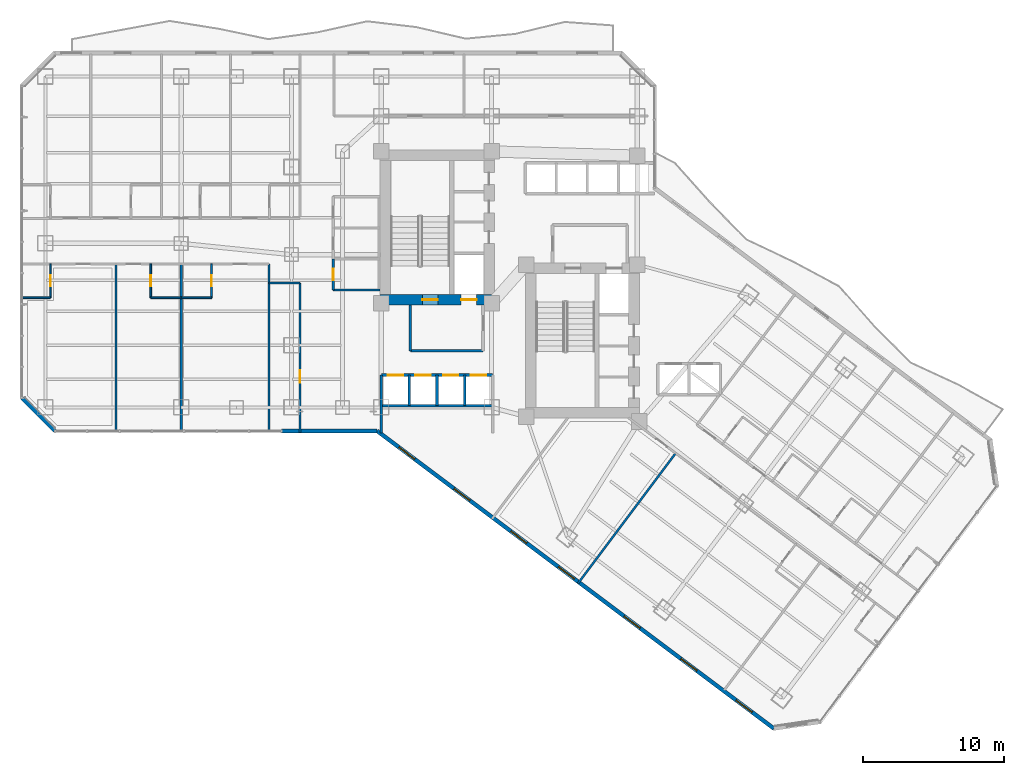
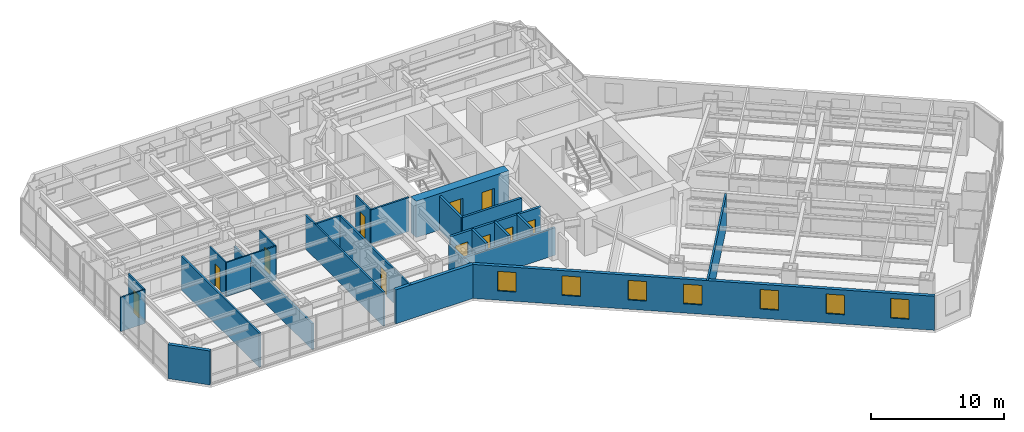
# One storey, part 23 of 38: 26 walls, 11 doors, 7 windows, 18 openings.
"""IFC4 building model written with IfcOpenShell, lengths in metres."""

import ifcopenshell
import ifcopenshell.guid

model = None  # the IFC model being written
_history = None  # IfcOwnerHistory: only IFC2X3 demands one
_inside = {}  # id of a spatial element -> (the spatial element, [elements in it])
_under = {}  # id of a project, library or spatial element -> (it, [spatial elements below it])
_declared = {}  # id of a project -> (the project, [libraries it declares])
_typed = {}  # id of a type object -> (the type object, [elements of that type])
_made_of = {}  # id of a material, layer set ... -> (it, [elements and type objects made of it])


def new_model(schema):
    """Start an empty IFC model of exactly this schema.

    Asked for "IFC4X3", IfcOpenShell would pick the latest addendum, in which some entities
    have other attributes; the version numbers below select the first issue.
    IFC2X3 requires an IfcOwnerHistory on every rooted entity: one is made here for all.
    """
    global model, _history
    if schema == "IFC4X3":
        model = ifcopenshell.file(schema_version=(4, 3, 0, 0))
    else:
        model = ifcopenshell.file(schema=schema)
    _inside.clear()
    _under.clear()
    _declared.clear()
    _typed.clear()
    _made_of.clear()
    _history = None
    if model.schema == "IFC2X3":
        org = make("IfcOrganization", Name="unknown")
        user = make(
            "IfcPersonAndOrganization",
            ThePerson=make("IfcPerson", FamilyName="unknown"),
            TheOrganization=org,
        )
        app = make(
            "IfcApplication",
            ApplicationDeveloper=org,
            Version="unknown",
            ApplicationFullName="unknown",
            ApplicationIdentifier="unknown",
        )
        _history = make(
            "IfcOwnerHistory",
            OwningUser=user,
            OwningApplication=app,
            ChangeAction="ADDED",
            CreationDate=0,
        )
    return model


def make(cls, **values):
    """One entity of the class cls with the attributes given. An attribute that is None is left unset."""
    return model.create_entity(
        cls, **{name: value for name, value in values.items() if value is not None}
    )


def rooted(cls, **values):
    """An entity with a GlobalId (a new one), such as an element, a storey or a relation."""
    return make(cls, GlobalId=ifcopenshell.guid.new(), OwnerHistory=_history, **values)


def si_unit(unit_type, name, prefix=None):
    """IfcSIUnit, for example si_unit("LENGTHUNIT", "METRE", prefix="MILLI")."""
    return make("IfcSIUnit", UnitType=unit_type, Prefix=prefix, Name=name)


def assignment(units):
    """IfcUnitAssignment: the units of a project."""
    return None if units is None else make("IfcUnitAssignment", Units=units)


def point(xyz):
    """IfcCartesianPoint."""
    return None if xyz is None else make("IfcCartesianPoint", Coordinates=xyz)


def direction(xyz):
    """IfcDirection."""
    return None if xyz is None else make("IfcDirection", DirectionRatios=xyz)


def frame(location, z_axis=None, x_axis=None):
    """IfcAxis2Placement3D, a coordinate frame: its origin and axes. An axis left out is left unset."""
    return make(
        "IfcAxis2Placement3D",
        Location=point(location),
        Axis=direction(z_axis),
        RefDirection=direction(x_axis),
    )


def frame_2d(location, x_axis=None):
    """IfcAxis2Placement2D, a coordinate frame in the plane: its origin and x axis."""
    return make(
        "IfcAxis2Placement2D", Location=point(location), RefDirection=direction(x_axis)
    )


def origin():
    """The frame at (0, 0, 0) with its axes left unset."""
    return frame((0.0, 0.0, 0.0))


def place(relative_to, where):
    """IfcLocalPlacement: puts the frame where relative to a parent placement (None: the world)."""
    return make(
        "IfcLocalPlacement", PlacementRelTo=relative_to, RelativePlacement=where
    )


def context(
    kind, dimensions, precision=None, world=None, true_north=None, identifier=None
):
    """IfcGeometricRepresentationContext, for example the 3D "Model" context."""
    return make(
        "IfcGeometricRepresentationContext",
        ContextIdentifier=identifier,
        ContextType=kind,
        CoordinateSpaceDimension=dimensions,
        Precision=precision,
        WorldCoordinateSystem=world,
        TrueNorth=true_north,
    )


def subcontext(parent, identifier, kind, view, scale=None):
    """IfcGeometricRepresentationSubContext, for example "Body" below "Model"."""
    return make(
        "IfcGeometricRepresentationSubContext",
        ContextIdentifier=identifier,
        ContextType=kind,
        ParentContext=parent,
        TargetScale=scale,
        TargetView=view,
    )


def project(units=None, contexts=None):
    """IfcProject with its units and contexts."""
    return rooted(
        "IfcProject",
        Name="project",
        RepresentationContexts=contexts,
        UnitsInContext=assignment(units),
    )


def spatial(cls, under=None, at=None, **own):
    """A site, building, storey or space (cls), placed at a placement, below another one or the project."""
    s = rooted(cls, ObjectPlacement=at, **own)
    if under is not None:
        _under.setdefault(under.id(), (under, []))[1].append(s)
    return s


def profile(cls, at=None, kind="AREA", **sizes):
    """A parametric profile (cls). Its sizes go by their IFC names, for example OverallWidth=200.0."""
    return make(cls, ProfileType=kind, Position=at, **sizes)


def rectangle(**sizes):
    """IfcRectangleProfileDef."""
    return profile("IfcRectangleProfileDef", **sizes)


def extrude(swept, where, along, depth):
    """IfcExtrudedAreaSolid: the profile swept, set in the frame where, extruded along a direction by depth."""
    return make(
        "IfcExtrudedAreaSolid",
        SweptArea=swept,
        Position=where,
        ExtrudedDirection=direction(along),
        Depth=depth,
    )


def shape(context_of_items, identifier, shape_type, items):
    """IfcShapeRepresentation: the items that make up one representation, for example the "Body"."""
    return make(
        "IfcShapeRepresentation",
        ContextOfItems=context_of_items,
        RepresentationIdentifier=identifier,
        RepresentationType=shape_type,
        Items=items,
    )


def material(Name=None, Category=None):
    """IfcMaterial."""
    return make("IfcMaterial", Name=Name, Category=Category)


def layer(
    of_material, thickness, ventilated=None, Name=None, Category=None, Priority=None
):
    """IfcMaterialLayer: one layer of a wall or slab, of a material (None: an air gap)."""
    return make(
        "IfcMaterialLayer",
        Material=of_material,
        LayerThickness=thickness,
        IsVentilated=ventilated,
        Name=Name,
        Category=Category,
        Priority=Priority,
    )


def layer_set(layers, Name=None):
    """IfcMaterialLayerSet."""
    return make("IfcMaterialLayerSet", MaterialLayers=layers, LayerSetName=Name)


def made_of(thing, what):
    """Note that an element or type object is made of a material, layer set ...; save() writes the relation."""
    if what is not None:
        _made_of.setdefault(what.id(), (what, []))[1].append(thing)
    return thing


def type_object(cls, material=None, **own):
    """A type object (cls), such as IfcWallType, which elements share."""
    return made_of(rooted(cls, **own), material)


def element(
    cls,
    number,
    at=None,
    inside=None,
    cuts=None,
    type_object=None,
    material=None,
    context=None,
    identifier="Body",
    shape_type=None,
    held_by="IfcProductDefinitionShape",
    body=None,
    shapes=None,
    **own,
):
    """One element of the class cls, such as IfcWall. Its Tag is "e" and its number.

    at: its placement. inside: the storey or other place that contains it. cuts: it is an
    opening in that element (IfcRelVoidsElement). A single representation is given by context,
    identifier, shape_type and body (its items); several are given by shapes. held_by: the class
    of the entity that holds the representations. save() writes the other relations.
    """
    e = rooted(cls, Tag="e%d" % number, ObjectPlacement=at, **own)
    if body is not None:
        shapes = [shape(context, identifier, shape_type, body)]
    if shapes is not None:
        e.Representation = make(held_by, Representations=shapes)
    if inside is not None:
        _inside.setdefault(inside.id(), (inside, []))[1].append(e)
    if cuts is not None:
        rooted(
            "IfcRelVoidsElement", RelatingBuildingElement=cuts, RelatedOpeningElement=e
        )
    if type_object is not None:
        _typed.setdefault(type_object.id(), (type_object, []))[1].append(e)
    return made_of(e, material)


def fill(opening, filler):
    """IfcRelFillsElement: the door or window that sits in an opening."""
    return rooted(
        "IfcRelFillsElement",
        RelatingOpeningElement=opening,
        RelatedBuildingElement=filler,
    )


def aggregate(whole, parts):
    """IfcRelAggregates: a whole, such as a stair, and the parts it consists of."""
    return rooted("IfcRelAggregates", RelatingObject=whole, RelatedObjects=parts)


def save(model, path):
    """Write the relations noted so far, then the file.

    IfcRelAggregates (storeys below a building ...), IfcRelContainedInSpatialStructure (elements
    in a storey), IfcRelDefinesByType, IfcRelAssociatesMaterial and IfcRelDeclares: one each for
    every whole, place, type object, material and project.
    """
    for whole, parts in _under.values():
        aggregate(whole, parts)
    for where, things in _inside.values():
        rooted(
            "IfcRelContainedInSpatialStructure",
            RelatedElements=things,
            RelatingStructure=where,
        )
    for kind, things in _typed.values():
        rooted("IfcRelDefinesByType", RelatedObjects=things, RelatingType=kind)
    for what, things in _made_of.values():
        rooted("IfcRelAssociatesMaterial", RelatedObjects=things, RelatingMaterial=what)
    for by, libraries in _declared.values():
        rooted("IfcRelDeclares", RelatingContext=by, RelatedDefinitions=libraries)
    model.write(path)


model = new_model("IFC4")

# Units and contexts
model_context = context("Model", 3, precision=1e-05, world=origin(), true_north=direction((0.0, 1.0)))
body_context = subcontext(model_context, "Body", "Model", "MODEL_VIEW")
ifc_project = project(units=[si_unit("LENGTHUNIT", "METRE"), si_unit("AREAUNIT", "SQUARE_METRE"), si_unit("VOLUMEUNIT", "CUBIC_METRE"), si_unit("PLANEANGLEUNIT", "RADIAN"), si_unit("MASSUNIT", "GRAM", prefix="KILO")], contexts=[model_context])

# Site, building, storey
site_placement = place(None, origin())
site = spatial("IfcSite", under=ifc_project, at=site_placement, CompositionType="ELEMENT")
building_placement = place(site_placement, origin())
building = spatial("IfcBuilding", under=site, at=building_placement, Name="Hatsunagi Terrace Concourse", CompositionType="ELEMENT")
storey_placement = place(building_placement, frame((0.0, 0.0, 60.050048828125)))
storey = spatial("IfcBuildingStorey", under=building, at=storey_placement, Name="L15", CompositionType="ELEMENT", Elevation=60.050048828125)

# Wall, openings, doors
ifc_material_1 = material(Name="Concrete Fc60", Category="concrete")
ifc_layer_1 = layer(ifc_material_1, 0.75)
ifc_layer_set_1 = layer_set([ifc_layer_1], Name="CoreShearWall_Fc60_750")
wall_type_1 = type_object("IfcWallType", Name="CoreShearWall_Fc60_750", PredefinedType="SHEAR", material=ifc_layer_set_1)
wall_1_placement = place(storey_placement, frame((25.469970703125, 32.81494140625, 0.0), z_axis=(0.0, 0.0, 1.0), x_axis=(1.0, 0.0, 0.0)))
wall_1 = element("IfcWall", 1, at=wall_1_placement, inside=storey, type_object=wall_type_1, Name="Core A Shear Wall S L15", PredefinedType="SHEAR", context=body_context, shape_type="SweptSolid", body=[
    extrude(rectangle(XDim=8.080078125, YDim=0.75, at=frame_2d((4.0400390625, 0.0))), origin(), (0.0, 0.0, 1.0), 3.349853515625),
])
opening_1_placement = place(wall_1_placement, frame((2.97998046875, 0.0, 0.0)))
opening_1 = element("IfcOpeningElement", 2, at=opening_1_placement, cuts=wall_1, Name="Opening DR-110S", PredefinedType="OPENING", context=body_context, shape_type="SweptSolid", body=[
    extrude(rectangle(XDim=1.10009765625, YDim=2.199951171875, at=frame_2d((0.550048828125, 1.10009765625))), frame((0.0, 0.385009765625, 0.0), z_axis=(0.0, -1.0, 0.0), x_axis=(1.0, 0.0, 0.0)), (0.0, 0.0, 1.0), 0.77001953125),
])
opening_2_placement = place(wall_1_placement, frame((5.72998046875, 0.0, 0.0)))
opening_2 = element("IfcOpeningElement", 3, at=opening_2_placement, cuts=wall_1, Name="Opening LD-01", PredefinedType="OPENING", context=body_context, shape_type="SweptSolid", body=[
    extrude(rectangle(XDim=1.10009765625, YDim=2.14990234375, at=frame_2d((0.550048828125, 1.074951171875))), frame((0.0, 0.385009765625, 0.0), z_axis=(0.0, -1.0, 0.0), x_axis=(1.0, 0.0, 0.0)), (0.0, 0.0, 1.0), 0.77001953125),
])
ifc_material_2 = material(Name="Stainless steel", Category="steel")
door_type_1 = type_object("IfcDoorType", Name="LiftLandingDoor_LD01", OperationType="SLIDING_TO_LEFT", PredefinedType="USERDEFINED", material=ifc_material_2)
door_1_placement = place(opening_2_placement, origin())
door_1 = element("IfcDoor", 4, at=door_1_placement, inside=storey, type_object=door_type_1, Name="Lift landing door FF-01 L15", ObjectType="SLIDING_LANDING_DOOR", OperationType="SLIDING_TO_LEFT", OverallHeight=2.14990234375, OverallWidth=1.10009765625, PredefinedType="USERDEFINED", context=body_context, shape_type="SweptSolid", body=[
    extrude(rectangle(XDim=1.10009765625, YDim=2.14990234375, at=frame_2d((0.550048828125, 1.074951171875))), frame((0.0, 0.02490234375, 0.0), z_axis=(0.0, -1.0, 0.0), x_axis=(1.0, 0.0, 0.0)), (0.0, 0.0, 1.0), 0.050048828125),
])
fill(opening_2, door_1)
ifc_material_3 = material(Name="Painted steel", Category="steel")
door_type_2 = type_object("IfcDoorType", Name="StairFireDoor_EI60_1100", OperationType="NOTDEFINED", PredefinedType="DOOR", material=ifc_material_3)
door_2_placement = place(opening_1_placement, origin())
door_2 = element("IfcDoor", 5, at=door_2_placement, inside=storey, type_object=door_type_2, Name="Stair ST-A Exit Door L15", OperationType="SINGLE_SWING_LEFT", OverallHeight=2.199951171875, OverallWidth=1.10009765625, PredefinedType="DOOR", context=body_context, shape_type="SweptSolid", body=[
    extrude(rectangle(XDim=1.10009765625, YDim=2.199951171875, at=frame_2d((0.550048828125, 1.10009765625))), frame((0.0, 0.02490234375, 0.0), z_axis=(0.0, -1.0, 0.0), x_axis=(1.0, 0.0, 0.0)), (0.0, 0.0, 1.0), 0.050048828125),
])
fill(opening_1, door_2)

# Wall, opening, door
ifc_material_4 = material(Name="Acoustic mineral board", Category="gypsum")
ifc_layer_2 = layer(ifc_material_4, 0.1201171875)
ifc_layer_set_2 = layer_set([ifc_layer_2], Name="PartitionWall_EI30_120")
wall_type_2 = type_object("IfcWallType", Name="PartitionWall_EI30_120", PredefinedType="PARTITIONING", material=ifc_layer_set_2)
wall_2_placement = place(storey_placement, frame((2.14990234375, 32.949951171875, 0.0), z_axis=(0.0, 0.0, 1.0), x_axis=(0.0, 1.0, 0.0)))
wall_2 = element("IfcWall", 6, at=wall_2_placement, inside=storey, type_object=wall_type_2, Name="Interior Partition IW-L15-068", PredefinedType="PARTITIONING", context=body_context, shape_type="SweptSolid", body=[
    extrude(rectangle(XDim=2.400146484375, YDim=0.1201171875, at=frame_2d((1.2001953125, 0.0))), origin(), (0.0, 0.0, 1.0), 3.1298828125),
])
opening_3_placement = place(wall_2_placement, frame((0.800048828125, 0.0, 0.0)))
opening_3 = element("IfcOpeningElement", 7, at=opening_3_placement, cuts=wall_2, Name="Opening DR-080", PredefinedType="OPENING", context=body_context, shape_type="SweptSolid", body=[
    extrude(rectangle(XDim=0.800048828125, YDim=2.06005859375, at=frame_2d((0.39990234375, 1.030029296875))), frame((0.0, 0.070068359375, 0.0), z_axis=(0.0, -1.0, 0.0), x_axis=(1.0, 0.0, 0.0)), (0.0, 0.0, 1.0), 0.14013671875),
])
ifc_material_5 = material(Name="Hardwood timber", Category="wood")
door_type_3 = type_object("IfcDoorType", Name="BathroomDoor_800", OperationType="NOTDEFINED", PredefinedType="DOOR", material=ifc_material_5)
door_3_placement = place(opening_3_placement, origin())
door_3 = element("IfcDoor", 8, at=door_3_placement, inside=storey, type_object=door_type_3, Name="En-Suite Bathroom L15-S1 Door", OperationType="SINGLE_SWING_RIGHT", OverallHeight=2.06005859375, OverallWidth=0.800048828125, PredefinedType="DOOR", context=body_context, shape_type="SweptSolid", body=[
    extrude(rectangle(XDim=0.800048828125, YDim=2.06005859375, at=frame_2d((0.39990234375, 1.030029296875))), frame((0.0, 0.02490234375, 0.0), z_axis=(0.0, -1.0, 0.0), x_axis=(1.0, 0.0, 0.0)), (0.0, 0.0, 1.0), 0.050048828125),
])
fill(opening_3, door_3)

# Wall
wall_3_placement = place(storey_placement, frame((0.0400390625, 32.949951171875, 0.0), z_axis=(0.0, 0.0, 1.0), x_axis=(1.0, 0.0, 0.0)))
element("IfcWall", 9, at=wall_3_placement, inside=storey, type_object=wall_type_2, Name="Interior Partition IW-L15-069", PredefinedType="PARTITIONING", context=body_context, shape_type="SweptSolid", body=[
    extrude(rectangle(XDim=2.10986328125, YDim=0.1201171875, at=frame_2d((1.054931640625, 0.0))), origin(), (0.0, 0.0, 1.0), 3.1298828125),
])

# Wall, opening, door
wall_4_placement = place(storey_placement, frame((9.25, 32.949951171875, 0.0), z_axis=(0.0, 0.0, 1.0), x_axis=(0.0, 1.0, 0.0)))
wall_4 = element("IfcWall", 10, at=wall_4_placement, inside=storey, type_object=wall_type_2, Name="Interior Partition IW-L15-073", PredefinedType="PARTITIONING", context=body_context, shape_type="SweptSolid", body=[
    extrude(rectangle(XDim=2.400146484375, YDim=0.1201171875, at=frame_2d((1.2001953125, 0.0))), origin(), (0.0, 0.0, 1.0), 3.1298828125),
])
opening_4_placement = place(wall_4_placement, frame((0.800048828125, 0.0, 0.0)))
opening_4 = element("IfcOpeningElement", 11, at=opening_4_placement, cuts=wall_4, Name="Opening DR-080", PredefinedType="OPENING", context=body_context, shape_type="SweptSolid", body=[
    extrude(rectangle(XDim=0.800048828125, YDim=2.06005859375, at=frame_2d((0.39990234375, 1.030029296875))), frame((0.0, 0.070068359375, 0.0), z_axis=(0.0, -1.0, 0.0), x_axis=(1.0, 0.0, 0.0)), (0.0, 0.0, 1.0), 0.14013671875),
])
door_4_placement = place(opening_4_placement, origin())
door_4 = element("IfcDoor", 12, at=door_4_placement, inside=storey, type_object=door_type_3, Name="En-Suite Bathroom L15-S2 Door", OperationType="SINGLE_SWING_LEFT", OverallHeight=2.06005859375, OverallWidth=0.800048828125, PredefinedType="DOOR", context=body_context, shape_type="SweptSolid", body=[
    extrude(rectangle(XDim=0.800048828125, YDim=2.06005859375, at=frame_2d((0.39990234375, 1.030029296875))), frame((0.0, 0.02490234375, 0.0), z_axis=(0.0, -1.0, 0.0), x_axis=(1.0, 0.0, 0.0)), (0.0, 0.0, 1.0), 0.050048828125),
])
fill(opening_4, door_4)

# Wall
wall_5_placement = place(storey_placement, frame((9.25, 32.949951171875, 0.0), z_axis=(0.0, 0.0, 1.0), x_axis=(1.0, 0.0, 0.0)))
element("IfcWall", 13, at=wall_5_placement, inside=storey, type_object=wall_type_2, Name="Interior Partition IW-L15-074", PredefinedType="PARTITIONING", context=body_context, shape_type="SweptSolid", body=[
    extrude(rectangle(XDim=2.14990234375, YDim=0.1201171875, at=frame_2d((1.074951171875, 0.0))), origin(), (0.0, 0.0, 1.0), 3.1298828125),
])

# Wall, opening, door
wall_6_placement = place(storey_placement, frame((13.550048828125, 32.949951171875, 0.0), z_axis=(0.0, 0.0, 1.0), x_axis=(0.0, 1.0, 0.0)))
wall_6 = element("IfcWall", 14, at=wall_6_placement, inside=storey, type_object=wall_type_2, Name="Interior Partition IW-L15-078", PredefinedType="PARTITIONING", context=body_context, shape_type="SweptSolid", body=[
    extrude(rectangle(XDim=2.400146484375, YDim=0.1201171875, at=frame_2d((1.2001953125, 0.0))), origin(), (0.0, 0.0, 1.0), 3.1298828125),
])
opening_5_placement = place(wall_6_placement, frame((0.800048828125, 0.0, 0.0)))
opening_5 = element("IfcOpeningElement", 15, at=opening_5_placement, cuts=wall_6, Name="Opening DR-080", PredefinedType="OPENING", context=body_context, shape_type="SweptSolid", body=[
    extrude(rectangle(XDim=0.800048828125, YDim=2.06005859375, at=frame_2d((0.39990234375, 1.030029296875))), frame((0.0, 0.070068359375, 0.0), z_axis=(0.0, -1.0, 0.0), x_axis=(1.0, 0.0, 0.0)), (0.0, 0.0, 1.0), 0.14013671875),
])
door_5_placement = place(opening_5_placement, origin())
door_5 = element("IfcDoor", 16, at=door_5_placement, inside=storey, type_object=door_type_3, Name="En-Suite Bathroom L15-S3 Door", OperationType="SINGLE_SWING_RIGHT", OverallHeight=2.06005859375, OverallWidth=0.800048828125, PredefinedType="DOOR", context=body_context, shape_type="SweptSolid", body=[
    extrude(rectangle(XDim=0.800048828125, YDim=2.06005859375, at=frame_2d((0.39990234375, 1.030029296875))), frame((0.0, 0.02490234375, 0.0), z_axis=(0.0, -1.0, 0.0), x_axis=(1.0, 0.0, 0.0)), (0.0, 0.0, 1.0), 0.050048828125),
])
fill(opening_5, door_5)

# Walls
wall_7_placement = place(storey_placement, frame((11.39990234375, 32.949951171875, 0.0), z_axis=(0.0, 0.0, 1.0), x_axis=(1.0, 0.0, 0.0)))
element("IfcWall", 17, at=wall_7_placement, inside=storey, type_object=wall_type_2, Name="Interior Partition IW-L15-079", PredefinedType="PARTITIONING", context=body_context, shape_type="SweptSolid", body=[
    extrude(rectangle(XDim=2.150146484375, YDim=0.1201171875, at=frame_2d((1.0751953125, 0.0))), origin(), (0.0, 0.0, 1.0), 3.1298828125),
])
ifc_material_6 = material(Name="Acoustic mineral board", Category="gypsum")
ifc_layer_3 = layer(ifc_material_6, 0.14990234375)
ifc_layer_set_3 = layer_set([ifc_layer_3], Name="PartitionWall_EI60_150")
wall_type_3 = type_object("IfcWallType", Name="PartitionWall_EI60_150", PredefinedType="PARTITIONING", material=ifc_layer_set_3)
wall_8_placement = place(storey_placement, frame((22.14990234375, 33.5, 0.0), z_axis=(0.0, 0.0, 1.0), x_axis=(1.0, 0.0, 0.0)))
element("IfcWall", 18, at=wall_8_placement, inside=storey, type_object=wall_type_3, Name="Interior Partition IW-L15-031", PredefinedType="PARTITIONING", context=body_context, shape_type="SweptSolid", body=[
    extrude(rectangle(XDim=3.300048828125, YDim=0.14990234375, at=frame_2d((1.64990234375, 0.0))), origin(), (0.0, 0.0, 1.0), 3.1298828125),
])

# Wall, opening, door
wall_9_placement = place(storey_placement, frame((22.14990234375, 33.5, 0.0), z_axis=(0.0, 0.0, 1.0), x_axis=(0.0, 1.0, 0.0)))
wall_9 = element("IfcWall", 19, at=wall_9_placement, inside=storey, type_object=wall_type_3, Name="Interior Partition IW-L15-036", PredefinedType="PARTITIONING", context=body_context, shape_type="SweptSolid", body=[
    extrude(rectangle(XDim=2.199951171875, YDim=0.14990234375, at=frame_2d((1.10009765625, 0.0))), origin(), (0.0, 0.0, 1.0), 3.1298828125),
])
opening_6_placement = place(wall_9_placement, frame((0.699951171875, 0.0, 0.0)))
opening_6 = element("IfcOpeningElement", 20, at=opening_6_placement, cuts=wall_9, Name="Opening DR-080", PredefinedType="OPENING", context=body_context, shape_type="SweptSolid", body=[
    extrude(rectangle(XDim=0.800048828125, YDim=2.06005859375, at=frame_2d((0.39990234375, 1.030029296875))), frame((0.0, 0.0849609375, 0.0), z_axis=(0.0, -1.0, 0.0), x_axis=(1.0, 0.0, 0.0)), (0.0, 0.0, 1.0), 0.169921875),
])
door_6_placement = place(opening_6_placement, origin())
door_6 = element("IfcDoor", 21, at=door_6_placement, inside=storey, type_object=door_type_3, Name="Accessible WC Door L15", OperationType="SINGLE_SWING_RIGHT", OverallHeight=2.06005859375, OverallWidth=0.800048828125, PredefinedType="DOOR", context=body_context, shape_type="SweptSolid", body=[
    extrude(rectangle(XDim=0.800048828125, YDim=2.06005859375, at=frame_2d((0.39990234375, 1.030029296875))), frame((0.0, 0.02490234375, 0.0), z_axis=(0.0, -1.0, 0.0), x_axis=(1.0, 0.0, 0.0)), (0.0, 0.0, 1.0), 0.050048828125),
])
fill(opening_6, door_6)

# Walls
wall_10_placement = place(storey_placement, frame((39.464111328125, 12.751953125, 0.0), z_axis=(0.0, 0.0, 1.0), x_axis=(0.6, 0.8, 0.0)))
element("IfcWall", 22, at=wall_10_placement, inside=storey, type_object=wall_type_3, Name="Interior Partition IW-L15-045", PredefinedType="PARTITIONING", context=body_context, shape_type="SweptSolid", body=[
    extrude(rectangle(XDim=11.510009765625, YDim=0.14990234375, at=frame_2d((5.7548828125, 0.0))), origin(), (0.0, 0.0, 1.0), 3.1298828125),
])
wall_11_placement = place(storey_placement, frame((6.800048828125, 23.60009765625, 0.0), z_axis=(0.0, 0.0, 1.0), x_axis=(0.0, 1.0, 0.0)))
element("IfcWall", 23, at=wall_11_placement, inside=storey, type_object=wall_type_3, Name="Interior Partition IW-L15-070", PredefinedType="PARTITIONING", context=body_context, shape_type="SweptSolid", body=[
    extrude(rectangle(XDim=11.75, YDim=0.14990234375, at=frame_2d((5.875, 0.0))), origin(), (0.0, 0.0, 1.0), 3.1298828125),
])
wall_12_placement = place(storey_placement, frame((11.39990234375, 23.60009765625, 0.0), z_axis=(0.0, 0.0, 1.0), x_axis=(0.0, 1.0, 0.0)))
element("IfcWall", 24, at=wall_12_placement, inside=storey, type_object=wall_type_3, Name="Interior Partition IW-L15-075", PredefinedType="PARTITIONING", context=body_context, shape_type="SweptSolid", body=[
    extrude(rectangle(XDim=11.75, YDim=0.14990234375, at=frame_2d((5.875, 0.0))), origin(), (0.0, 0.0, 1.0), 2.425048828125),
])
wall_13_placement = place(storey_placement, frame((17.60009765625, 23.60009765625, 0.0), z_axis=(0.0, 0.0, 1.0), x_axis=(0.0, 1.0, 0.0)))
element("IfcWall", 25, at=wall_13_placement, inside=storey, type_object=wall_type_3, Name="Interior Partition IW-L15-080", PredefinedType="PARTITIONING", context=body_context, shape_type="SweptSolid", body=[
    extrude(rectangle(XDim=11.75, YDim=0.14990234375, at=frame_2d((5.875, 0.0))), origin(), (0.0, 0.0, 1.0), 3.1298828125),
])
wall_14_placement = place(storey_placement, frame((17.60009765625, 34.0, 0.0), z_axis=(0.0, 0.0, 1.0), x_axis=(1.0, 0.0, 0.0)))
element("IfcWall", 26, at=wall_14_placement, inside=storey, type_object=wall_type_3, Name="Interior Partition IW-L15-081", PredefinedType="PARTITIONING", context=body_context, shape_type="SweptSolid", body=[
    extrude(rectangle(XDim=2.199951171875, YDim=0.14990234375, at=frame_2d((1.10009765625, 0.0))), origin(), (0.0, 0.0, 1.0), 3.1298828125),
])

# Wall, opening, door
wall_15_placement = place(storey_placement, frame((19.800048828125, 23.43994140625, 0.0), z_axis=(0.0, 0.0, 1.0), x_axis=(0.0, 1.0, 0.0)))
wall_15 = element("IfcWall", 27, at=wall_15_placement, inside=storey, type_object=wall_type_3, Name="Interior Partition IW-L15-082", PredefinedType="PARTITIONING", context=body_context, shape_type="SweptSolid", body=[
    extrude(rectangle(XDim=10.56005859375, YDim=0.14990234375, at=frame_2d((5.280029296875, 0.0))), origin(), (0.0, 0.0, 1.0), 3.1298828125),
])
opening_7_placement = place(wall_15_placement, frame((3.4951171875, 0.0, 0.0)))
opening_7 = element("IfcOpeningElement", 28, at=opening_7_placement, cuts=wall_15, Name="Opening DR-090", PredefinedType="OPENING", context=body_context, shape_type="SweptSolid", body=[
    extrude(rectangle(XDim=0.89990234375, YDim=2.14990234375, at=frame_2d((0.449951171875, 1.074951171875))), frame((0.0, 0.0849609375, 0.0), z_axis=(0.0, -1.0, 0.0), x_axis=(1.0, 0.0, 0.0)), (0.0, 0.0, 1.0), 0.169921875),
])
ifc_material_7 = material(Name="Hardwood timber", Category="wood")
door_type_4 = type_object("IfcDoorType", Name="CrownPavilionDoor_EI30_900", OperationType="NOTDEFINED", PredefinedType="DOOR", material=ifc_material_7)
door_7_placement = place(opening_7_placement, origin())
door_7 = element("IfcDoor", 29, at=door_7_placement, inside=storey, type_object=door_type_4, Name="Catering Pantry L15-HPAN Door", OperationType="SINGLE_SWING_RIGHT", OverallHeight=2.14990234375, OverallWidth=0.89990234375, PredefinedType="DOOR", context=body_context, shape_type="SweptSolid", body=[
    extrude(rectangle(XDim=0.89990234375, YDim=2.14990234375, at=frame_2d((0.449951171875, 1.074951171875))), frame((0.0, 0.02490234375, 0.0), z_axis=(0.0, -1.0, 0.0), x_axis=(1.0, 0.0, 0.0)), (0.0, 0.0, 1.0), 0.050048828125),
])
fill(opening_7, door_7)

# Walls
ifc_material_8 = material(Name="Acoustic mineral board", Category="gypsum")
ifc_layer_4 = layer(ifc_material_8, 0.199951171875)
ifc_layer_set_4 = layer_set([ifc_layer_4], Name="ShaftWall_EI120_200")
wall_type_4 = type_object("IfcWallType", Name="ShaftWall_EI120_200", PredefinedType="STANDARD", material=ifc_layer_set_4)
wall_16_placement = place(storey_placement, frame((27.60009765625, 29.199951171875, 0.0), z_axis=(0.0, 0.0, 1.0), x_axis=(1.0, 0.0, 0.0)))
element("IfcWall", 30, at=wall_16_placement, inside=storey, type_object=wall_type_4, Name="Interior Partition IW-L15-007", PredefinedType="STANDARD", context=body_context, shape_type="SweptSolid", body=[
    extrude(rectangle(XDim=5.14990234375, YDim=0.199951171875, at=frame_2d((2.574951171875, 0.0))), origin(), (0.0, 0.0, 1.0), 3.1298828125),
])
wall_17_placement = place(storey_placement, frame((27.60009765625, 29.199951171875, 0.0), z_axis=(0.0, 0.0, 1.0), x_axis=(0.0, 1.0, 0.0)))
element("IfcWall", 31, at=wall_17_placement, inside=storey, type_object=wall_type_4, Name="Interior Partition IW-L15-008", PredefinedType="STANDARD", context=body_context, shape_type="SweptSolid", body=[
    extrude(rectangle(XDim=3.239990234375, YDim=0.199951171875, at=frame_2d((1.6201171875, 0.0))), origin(), (0.0, 0.0, 1.0), 3.1298828125),
])
wall_18_placement = place(storey_placement, frame((25.550048828125, 23.39990234375, 0.0), z_axis=(0.0, 0.0, 1.0), x_axis=(0.0, 1.0, 0.0)))
element("IfcWall", 32, at=wall_18_placement, inside=storey, type_object=wall_type_4, Name="Interior Partition IW-L15-013", PredefinedType="STANDARD", context=body_context, shape_type="SweptSolid", body=[
    extrude(rectangle(XDim=4.080078125, YDim=0.199951171875, at=frame_2d((2.0400390625, 0.0))), origin(), (0.0, 0.0, 1.0), 2.425048828125),
])
wall_19_placement = place(storey_placement, frame((25.550048828125, 25.320068359375, 0.0), z_axis=(0.0, 0.0, 1.0), x_axis=(1.0, 0.0, 0.0)))
element("IfcWall", 33, at=wall_19_placement, inside=storey, type_object=wall_type_4, Name="Interior Partition IW-L15-015", PredefinedType="STANDARD", context=body_context, shape_type="SweptSolid", body=[
    extrude(rectangle(XDim=7.8798828125, YDim=0.199951171875, at=frame_2d((3.93994140625, 0.0))), origin(), (0.0, 0.0, 1.0), 2.52490234375),
])
for number, where, z_axis, x_axis, name in (
    (34, (27.530029296875, 25.320068359375, 0.0), (0.0, 0.0, 1.0), (0.0, 1.0, 0.0), "Interior Partition IW-L15-016"),
    (35, (29.489990234375, 25.320068359375, 0.0), (0.0, 0.0, 1.0), (0.0, 1.0, 0.0), "Interior Partition IW-L15-017"),
    (36, (31.449951171875, 25.320068359375, 0.0), (0.0, 0.0, 1.0), (0.0, 1.0, 0.0), "Interior Partition IW-L15-018"),
):
    element("IfcWall", number, at=place(storey_placement, frame(where, z_axis=z_axis, x_axis=x_axis)), inside=storey, type_object=wall_type_4, Name=name, PredefinedType="STANDARD", context=body_context, shape_type="SweptSolid", body=[
        extrude(rectangle(XDim=2.159912109375, YDim=0.199951171875, at=frame_2d((1.080078125, 0.0))), origin(), (0.0, 0.0, 1.0), 3.1298828125),
    ])

# Wall, openings, doors
wall_20_placement = place(storey_placement, frame((25.550048828125, 27.47998046875, 0.0), z_axis=(0.0, 0.0, 1.0), x_axis=(1.0, 0.0, 0.0)))
wall_20 = element("IfcWall", 37, at=wall_20_placement, inside=storey, type_object=wall_type_4, Name="Interior Partition IW-L15-019", PredefinedType="STANDARD", context=body_context, shape_type="SweptSolid", body=[
    extrude(rectangle(XDim=7.8798828125, YDim=0.199951171875, at=frame_2d((3.93994140625, 0.0))), origin(), (0.0, 0.0, 1.0), 3.1298828125),
])
opening_8_placement = place(wall_20_placement, frame((0.4599609375, 0.0, 0.0)))
opening_8 = element("IfcOpeningElement", 38, at=opening_8_placement, cuts=wall_20, Name="Opening LD-03", PredefinedType="OPENING", context=body_context, shape_type="SweptSolid", body=[
    extrude(rectangle(XDim=1.080078125, YDim=2.14990234375, at=frame_2d((0.5400390625, 1.074951171875))), frame((0.0, 0.10986328125, 0.0), z_axis=(0.0, -1.0, 0.0), x_axis=(1.0, 0.0, 0.0)), (0.0, 0.0, 1.0), 0.219970703125),
])
opening_9_placement = place(wall_20_placement, frame((2.419921875, 0.0, 0.0)))
opening_9 = element("IfcOpeningElement", 39, at=opening_9_placement, cuts=wall_20, Name="Opening LD-03", PredefinedType="OPENING", context=body_context, shape_type="SweptSolid", body=[
    extrude(rectangle(XDim=1.080078125, YDim=2.14990234375, at=frame_2d((0.5400390625, 1.074951171875))), frame((0.0, 0.10986328125, 0.0), z_axis=(0.0, -1.0, 0.0), x_axis=(1.0, 0.0, 0.0)), (0.0, 0.0, 1.0), 0.219970703125),
])
opening_10_placement = place(wall_20_placement, frame((4.3798828125, 0.0, 0.0)))
opening_10 = element("IfcOpeningElement", 40, at=opening_10_placement, cuts=wall_20, Name="Opening LD-03", PredefinedType="OPENING", context=body_context, shape_type="SweptSolid", body=[
    extrude(rectangle(XDim=1.080078125, YDim=2.14990234375, at=frame_2d((0.5400390625, 1.074951171875))), frame((0.0, 0.10986328125, 0.0), z_axis=(0.0, -1.0, 0.0), x_axis=(1.0, 0.0, 0.0)), (0.0, 0.0, 1.0), 0.219970703125),
])
opening_11_placement = place(wall_20_placement, frame((6.340087890625, 0.0, 0.0)))
opening_11 = element("IfcOpeningElement", 41, at=opening_11_placement, cuts=wall_20, Name="Opening LD-03", PredefinedType="OPENING", context=body_context, shape_type="SweptSolid", body=[
    extrude(rectangle(XDim=1.080078125, YDim=2.14990234375, at=frame_2d((0.5400390625, 1.074951171875))), frame((0.0, 0.10986328125, 0.0), z_axis=(0.0, -1.0, 0.0), x_axis=(1.0, 0.0, 0.0)), (0.0, 0.0, 1.0), 0.219970703125),
])
ifc_material_9 = material(Name="Stainless steel", Category="steel")
door_type_5 = type_object("IfcDoorType", Name="LiftLandingDoor_LD03", OperationType="SLIDING_TO_LEFT", PredefinedType="USERDEFINED", material=ifc_material_9)
door_8_placement = place(opening_8_placement, origin())
door_8 = element("IfcDoor", 42, at=door_8_placement, inside=storey, type_object=door_type_5, Name="Lift landing door PL-01 L15", ObjectType="SLIDING_LANDING_DOOR", OperationType="SLIDING_TO_LEFT", OverallHeight=2.14990234375, OverallWidth=1.080078125, PredefinedType="USERDEFINED", context=body_context, shape_type="SweptSolid", body=[
    extrude(rectangle(XDim=1.080078125, YDim=2.14990234375, at=frame_2d((0.5400390625, 1.074951171875))), frame((0.0, 0.02490234375, 0.0), z_axis=(0.0, -1.0, 0.0), x_axis=(1.0, 0.0, 0.0)), (0.0, 0.0, 1.0), 0.050048828125),
])
fill(opening_8, door_8)
door_9_placement = place(opening_9_placement, origin())
door_9 = element("IfcDoor", 43, at=door_9_placement, inside=storey, type_object=door_type_5, Name="Lift landing door PL-02 L15", ObjectType="SLIDING_LANDING_DOOR", OperationType="SLIDING_TO_LEFT", OverallHeight=2.14990234375, OverallWidth=1.080078125, PredefinedType="USERDEFINED", context=body_context, shape_type="SweptSolid", body=[
    extrude(rectangle(XDim=1.080078125, YDim=2.14990234375, at=frame_2d((0.5400390625, 1.074951171875))), frame((0.0, 0.02490234375, 0.0), z_axis=(0.0, -1.0, 0.0), x_axis=(1.0, 0.0, 0.0)), (0.0, 0.0, 1.0), 0.050048828125),
])
fill(opening_9, door_9)
door_10_placement = place(opening_10_placement, origin())
door_10 = element("IfcDoor", 44, at=door_10_placement, inside=storey, type_object=door_type_5, Name="Lift landing door PL-03 L15", ObjectType="SLIDING_LANDING_DOOR", OperationType="SLIDING_TO_LEFT", OverallHeight=2.14990234375, OverallWidth=1.080078125, PredefinedType="USERDEFINED", context=body_context, shape_type="SweptSolid", body=[
    extrude(rectangle(XDim=1.080078125, YDim=2.14990234375, at=frame_2d((0.5400390625, 1.074951171875))), frame((0.0, 0.02490234375, 0.0), z_axis=(0.0, -1.0, 0.0), x_axis=(1.0, 0.0, 0.0)), (0.0, 0.0, 1.0), 0.050048828125),
])
fill(opening_10, door_10)
door_11_placement = place(opening_11_placement, origin())
door_11 = element("IfcDoor", 45, at=door_11_placement, inside=storey, type_object=door_type_5, Name="Lift landing door PL-04 L15", ObjectType="SLIDING_LANDING_DOOR", OperationType="SLIDING_TO_LEFT", OverallHeight=2.14990234375, OverallWidth=1.080078125, PredefinedType="USERDEFINED", context=body_context, shape_type="SweptSolid", body=[
    extrude(rectangle(XDim=1.080078125, YDim=2.14990234375, at=frame_2d((0.5400390625, 1.074951171875))), frame((0.0, 0.02490234375, 0.0), z_axis=(0.0, -1.0, 0.0), x_axis=(1.0, 0.0, 0.0)), (0.0, 0.0, 1.0), 0.050048828125),
])
fill(opening_11, door_11)

# Wall, openings, windows
ifc_material_10 = material(Name="Autoclaved Lightweight Concrete and Terracotta Cladding", Category="masonry")
ifc_layer_5 = layer(ifc_material_10, 0.280029296875)
ifc_layer_set_5 = layer_set([ifc_layer_5], Name="TerracottaSpandrelWall_280")
wall_type_5 = type_object("IfcWallType", Name="TerracottaSpandrelWall_280", PredefinedType="STANDARD", material=ifc_layer_set_5)
wall_21_placement = place(storey_placement, frame((53.318115234375, 2.487060546875, 0.0), z_axis=(0.0, 0.0, 1.0), x_axis=(-0.800004174678, 0.599994433723, 0.0)))
wall_21 = element("IfcWall", 46, at=wall_21_placement, inside=storey, type_object=wall_type_5, Name="Exterior Spandrel Wall EW-L15-05", PredefinedType="STANDARD", context=body_context, shape_type="SweptSolid", body=[
    extrude(rectangle(XDim=35.088623046875, YDim=0.280029296875, at=frame_2d((17.54443359375, 0.0))), origin(), (0.0, 0.0, 1.0), 3.1298828125),
])
opening_12_placement = place(wall_21_placement, frame((1.930908203125, 0.0, 0.85009765625)))
opening_12 = element("IfcOpeningElement", 47, at=opening_12_placement, cuts=wall_21, Name="Opening WIN-02", PredefinedType="OPENING", context=body_context, shape_type="SweptSolid", body=[
    extrude(rectangle(XDim=1.39990234375, YDim=1.800048828125, at=frame_2d((0.699951171875, 0.89990234375))), frame((0.0, 0.14990234375, 0.0), z_axis=(0.0, -1.0, 0.0), x_axis=(1.0, 0.0, 0.0)), (0.0, 0.0, 1.0), 0.300048828125),
])
opening_13_placement = place(wall_21_placement, frame((6.819091796875, 0.0, 0.85009765625)))
opening_13 = element("IfcOpeningElement", 48, at=opening_13_placement, cuts=wall_21, Name="Opening WIN-02", PredefinedType="OPENING", context=body_context, shape_type="SweptSolid", body=[
    extrude(rectangle(XDim=1.39990234375, YDim=1.800048828125, at=frame_2d((0.699951171875, 0.89990234375))), frame((0.0, 0.14990234375, 0.0), z_axis=(0.0, -1.0, 0.0), x_axis=(1.0, 0.0, 0.0)), (0.0, 0.0, 1.0), 0.300048828125),
])
opening_14_placement = place(wall_21_placement, frame((11.83203125, 0.0, 0.85009765625)))
opening_14 = element("IfcOpeningElement", 49, at=opening_14_placement, cuts=wall_21, Name="Opening WIN-02", PredefinedType="OPENING", context=body_context, shape_type="SweptSolid", body=[
    extrude(rectangle(XDim=1.39990234375, YDim=1.800048828125, at=frame_2d((0.699951171875, 0.89990234375))), frame((0.0, 0.14990234375, 0.0), z_axis=(0.0, -1.0, 0.0), x_axis=(1.0, 0.0, 0.0)), (0.0, 0.0, 1.0), 0.300048828125),
])
opening_15_placement = place(wall_21_placement, frame((17.64697265625, 0.0, 0.85009765625)))
opening_15 = element("IfcOpeningElement", 50, at=opening_15_placement, cuts=wall_21, Name="Opening WIN-02", PredefinedType="OPENING", context=body_context, shape_type="SweptSolid", body=[
    extrude(rectangle(XDim=1.39990234375, YDim=1.800048828125, at=frame_2d((0.699951171875, 0.89990234375))), frame((0.0, 0.14990234375, 0.0), z_axis=(0.0, -1.0, 0.0), x_axis=(1.0, 0.0, 0.0)), (0.0, 0.0, 1.0), 0.300048828125),
])
opening_16_placement = place(wall_21_placement, frame((21.85693359375, 0.0, 0.85009765625)))
opening_16 = element("IfcOpeningElement", 51, at=opening_16_placement, cuts=wall_21, Name="Opening WIN-02", PredefinedType="OPENING", context=body_context, shape_type="SweptSolid", body=[
    extrude(rectangle(XDim=1.39990234375, YDim=1.800048828125, at=frame_2d((0.699951171875, 0.89990234375))), frame((0.0, 0.14990234375, 0.0), z_axis=(0.0, -1.0, 0.0), x_axis=(1.0, 0.0, 0.0)), (0.0, 0.0, 1.0), 0.300048828125),
])
opening_17_placement = place(wall_21_placement, frame((26.8701171875, 0.0, 0.85009765625)))
opening_17 = element("IfcOpeningElement", 52, at=opening_17_placement, cuts=wall_21, Name="Opening WIN-02", PredefinedType="OPENING", context=body_context, shape_type="SweptSolid", body=[
    extrude(rectangle(XDim=1.39990234375, YDim=1.800048828125, at=frame_2d((0.699951171875, 0.89990234375))), frame((0.0, 0.14990234375, 0.0), z_axis=(0.0, -1.0, 0.0), x_axis=(1.0, 0.0, 0.0)), (0.0, 0.0, 1.0), 0.300048828125),
])
opening_18_placement = place(wall_21_placement, frame((31.757080078125, 0.0, 0.85009765625)))
opening_18 = element("IfcOpeningElement", 53, at=opening_18_placement, cuts=wall_21, Name="Opening WIN-02", PredefinedType="OPENING", context=body_context, shape_type="SweptSolid", body=[
    extrude(rectangle(XDim=1.39990234375, YDim=1.800048828125, at=frame_2d((0.699951171875, 0.89990234375))), frame((0.0, 0.14990234375, 0.0), z_axis=(0.0, -1.0, 0.0), x_axis=(1.0, 0.0, 0.0)), (0.0, 0.0, 1.0), 0.300048828125),
])
ifc_material_11 = material(Name="Thermally Broken Aluminium and Low-E Triple Glazing", Category="aluminium")
window_type = type_object("IfcWindowType", Name="HotelOperableVentWindow_1400x1800", PartitioningType="DOUBLE_PANEL_VERTICAL", PredefinedType="WINDOW", material=ifc_material_11)
window_1_placement = place(opening_12_placement, origin())
window_1 = element("IfcWindow", 54, at=window_1_placement, inside=storey, type_object=window_type, Name="Hotel Perimeter Window L15-05-1", OverallHeight=1.800048828125, OverallWidth=1.39990234375, PartitioningType="SINGLE_PANEL", PredefinedType="WINDOW", context=body_context, shape_type="SweptSolid", body=[
    extrude(rectangle(XDim=1.39990234375, YDim=1.800048828125, at=frame_2d((0.699951171875, 0.89990234375))), frame((0.0, 0.030029296875, 0.0), z_axis=(0.0, -1.0, 0.0), x_axis=(1.0, 0.0, 0.0)), (0.0, 0.0, 1.0), 0.06005859375),
])
fill(opening_12, window_1)
window_2_placement = place(opening_13_placement, origin())
window_2 = element("IfcWindow", 55, at=window_2_placement, inside=storey, type_object=window_type, Name="Hotel Perimeter Window L15-05-2", OverallHeight=1.800048828125, OverallWidth=1.39990234375, PartitioningType="SINGLE_PANEL", PredefinedType="WINDOW", context=body_context, shape_type="SweptSolid", body=[
    extrude(rectangle(XDim=1.39990234375, YDim=1.800048828125, at=frame_2d((0.699951171875, 0.89990234375))), frame((0.0, 0.030029296875, 0.0), z_axis=(0.0, -1.0, 0.0), x_axis=(1.0, 0.0, 0.0)), (0.0, 0.0, 1.0), 0.06005859375),
])
fill(opening_13, window_2)
window_3_placement = place(opening_14_placement, origin())
window_3 = element("IfcWindow", 56, at=window_3_placement, inside=storey, type_object=window_type, Name="Hotel Perimeter Window L15-05-3", OverallHeight=1.800048828125, OverallWidth=1.39990234375, PartitioningType="SINGLE_PANEL", PredefinedType="WINDOW", context=body_context, shape_type="SweptSolid", body=[
    extrude(rectangle(XDim=1.39990234375, YDim=1.800048828125, at=frame_2d((0.699951171875, 0.89990234375))), frame((0.0, 0.030029296875, 0.0), z_axis=(0.0, -1.0, 0.0), x_axis=(1.0, 0.0, 0.0)), (0.0, 0.0, 1.0), 0.06005859375),
])
fill(opening_14, window_3)
window_4_placement = place(opening_15_placement, origin())
window_4 = element("IfcWindow", 57, at=window_4_placement, inside=storey, type_object=window_type, Name="Hotel Perimeter Window L15-05-4", OverallHeight=1.800048828125, OverallWidth=1.39990234375, PartitioningType="SINGLE_PANEL", PredefinedType="WINDOW", context=body_context, shape_type="SweptSolid", body=[
    extrude(rectangle(XDim=1.39990234375, YDim=1.800048828125, at=frame_2d((0.699951171875, 0.89990234375))), frame((0.0, 0.030029296875, 0.0), z_axis=(0.0, -1.0, 0.0), x_axis=(1.0, 0.0, 0.0)), (0.0, 0.0, 1.0), 0.06005859375),
])
fill(opening_15, window_4)
window_5_placement = place(opening_16_placement, origin())
window_5 = element("IfcWindow", 58, at=window_5_placement, inside=storey, type_object=window_type, Name="Hotel Perimeter Window L15-05-5", OverallHeight=1.800048828125, OverallWidth=1.39990234375, PartitioningType="SINGLE_PANEL", PredefinedType="WINDOW", context=body_context, shape_type="SweptSolid", body=[
    extrude(rectangle(XDim=1.39990234375, YDim=1.800048828125, at=frame_2d((0.699951171875, 0.89990234375))), frame((0.0, 0.030029296875, 0.0), z_axis=(0.0, -1.0, 0.0), x_axis=(1.0, 0.0, 0.0)), (0.0, 0.0, 1.0), 0.06005859375),
])
fill(opening_16, window_5)
window_6_placement = place(opening_17_placement, origin())
window_6 = element("IfcWindow", 59, at=window_6_placement, inside=storey, type_object=window_type, Name="Hotel Perimeter Window L15-05-6", OverallHeight=1.800048828125, OverallWidth=1.39990234375, PartitioningType="SINGLE_PANEL", PredefinedType="WINDOW", context=body_context, shape_type="SweptSolid", body=[
    extrude(rectangle(XDim=1.39990234375, YDim=1.800048828125, at=frame_2d((0.699951171875, 0.89990234375))), frame((0.0, 0.030029296875, 0.0), z_axis=(0.0, -1.0, 0.0), x_axis=(1.0, 0.0, 0.0)), (0.0, 0.0, 1.0), 0.06005859375),
])
fill(opening_17, window_6)
window_7_placement = place(opening_18_placement, origin())
window_7 = element("IfcWindow", 60, at=window_7_placement, inside=storey, type_object=window_type, Name="Hotel Perimeter Window L15-05-7", OverallHeight=1.800048828125, OverallWidth=1.39990234375, PartitioningType="SINGLE_PANEL", PredefinedType="WINDOW", context=body_context, shape_type="SweptSolid", body=[
    extrude(rectangle(XDim=1.39990234375, YDim=1.800048828125, at=frame_2d((0.699951171875, 0.89990234375))), frame((0.0, 0.030029296875, 0.0), z_axis=(0.0, -1.0, 0.0), x_axis=(1.0, 0.0, 0.0)), (0.0, 0.0, 1.0), 0.06005859375),
])
fill(opening_18, window_7)

# Walls
wall_22_placement = place(storey_placement, frame((25.2470703125, 23.5400390625, 0.0), z_axis=(0.0, 0.0, 1.0), x_axis=(-1.0, 0.0, 0.0)))
element("IfcWall", 61, at=wall_22_placement, inside=storey, type_object=wall_type_5, Name="Exterior Spandrel Wall EW-L15-06", PredefinedType="STANDARD", context=body_context, shape_type="SweptSolid", body=[
    extrude(rectangle(XDim=6.7470703125, YDim=0.280029296875, at=frame_2d((3.37353515625, 0.0))), origin(), (0.0, 0.0, 1.0), 3.1298828125),
])
wall_23_placement = place(storey_placement, frame((2.4580078125, 23.5400390625, 0.0), z_axis=(0.0, 0.0, 1.0), x_axis=(-0.707144017911, 0.707069542501, 0.0)))
element("IfcWall", 62, at=wall_23_placement, inside=storey, type_object=wall_type_5, Name="Exterior Spandrel Wall EW-L15-08", PredefinedType="STANDARD", context=body_context, shape_type="SweptSolid", body=[
    extrude(rectangle(XDim=3.278076171875, YDim=0.280029296875, at=frame_2d((1.63916015625, 0.0))), origin(), (0.0, 0.0, 1.0), 3.1298828125),
])

save(model, "model.ifc")
